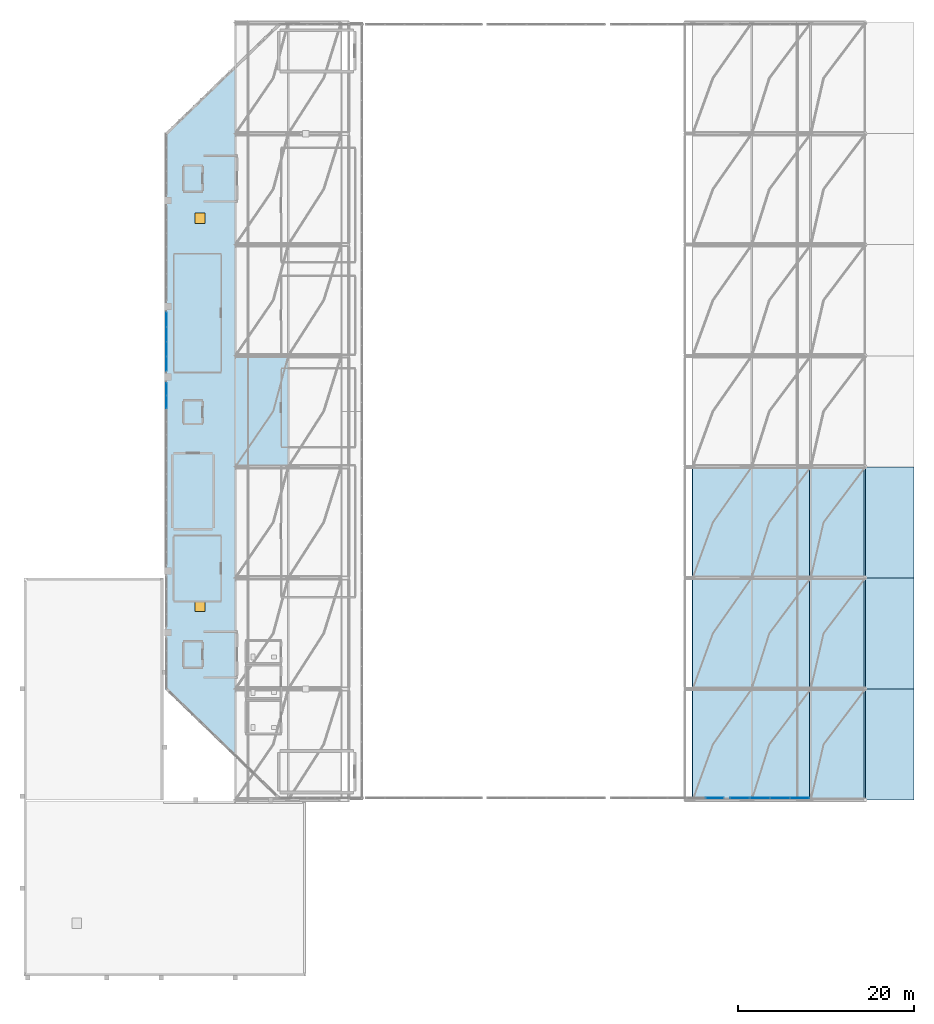
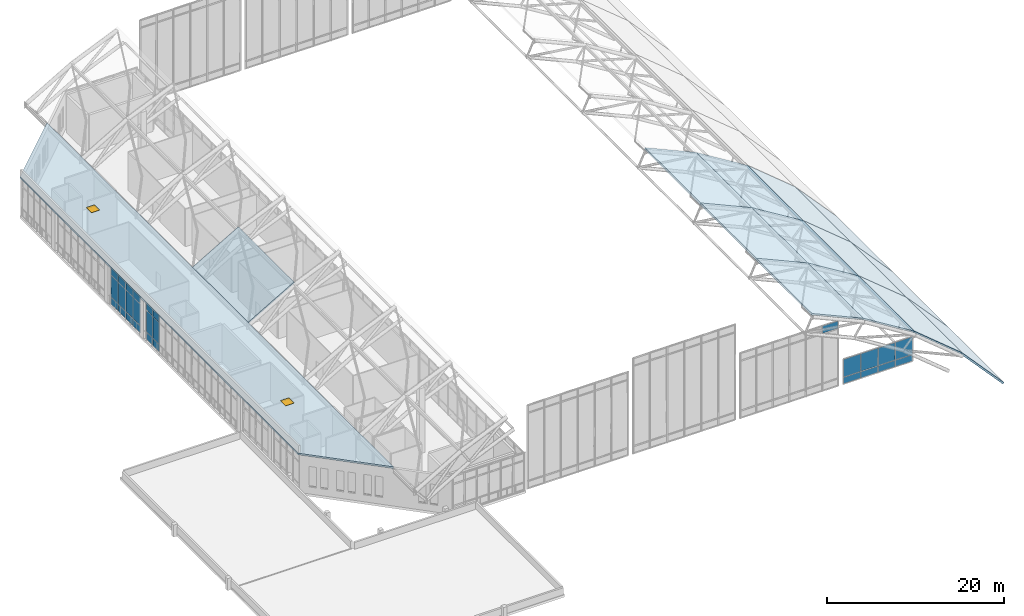
# One storey, part 27 of 42: 27 plates, 14 slabs, 2 doors, 2 openings, 4 elements without a shape of their own.
"""IFC4 building model written with IfcOpenShell, lengths in metres."""

import ifcopenshell
import ifcopenshell.guid

model = None  # the IFC model being written
_history = None  # IfcOwnerHistory: only IFC2X3 demands one
_inside = {}  # id of a spatial element -> (the spatial element, [elements in it])
_under = {}  # id of a project, library or spatial element -> (it, [spatial elements below it])
_declared = {}  # id of a project -> (the project, [libraries it declares])
_typed = {}  # id of a type object -> (the type object, [elements of that type])
_made_of = {}  # id of a material, layer set ... -> (it, [elements and type objects made of it])


def new_model(schema):
    """Start an empty IFC model of exactly this schema.

    Asked for "IFC4X3", IfcOpenShell would pick the latest addendum, in which some entities
    have other attributes; the version numbers below select the first issue.
    IFC2X3 requires an IfcOwnerHistory on every rooted entity: one is made here for all.
    """
    global model, _history
    if schema == "IFC4X3":
        model = ifcopenshell.file(schema_version=(4, 3, 0, 0))
    else:
        model = ifcopenshell.file(schema=schema)
    _inside.clear()
    _under.clear()
    _declared.clear()
    _typed.clear()
    _made_of.clear()
    _history = None
    if model.schema == "IFC2X3":
        org = make("IfcOrganization", Name="unknown")
        user = make(
            "IfcPersonAndOrganization",
            ThePerson=make("IfcPerson", FamilyName="unknown"),
            TheOrganization=org,
        )
        app = make(
            "IfcApplication",
            ApplicationDeveloper=org,
            Version="unknown",
            ApplicationFullName="unknown",
            ApplicationIdentifier="unknown",
        )
        _history = make(
            "IfcOwnerHistory",
            OwningUser=user,
            OwningApplication=app,
            ChangeAction="ADDED",
            CreationDate=0,
        )
    return model


def make(cls, **values):
    """One entity of the class cls with the attributes given. An attribute that is None is left unset."""
    return model.create_entity(
        cls, **{name: value for name, value in values.items() if value is not None}
    )


def rooted(cls, **values):
    """An entity with a GlobalId (a new one), such as an element, a storey or a relation."""
    return make(cls, GlobalId=ifcopenshell.guid.new(), OwnerHistory=_history, **values)


def si_unit(unit_type, name, prefix=None):
    """IfcSIUnit, for example si_unit("LENGTHUNIT", "METRE", prefix="MILLI")."""
    return make("IfcSIUnit", UnitType=unit_type, Prefix=prefix, Name=name)


def derived_unit(unit_type, elements):
    """IfcDerivedUnit: a product of units, each with its exponent."""
    return make(
        "IfcDerivedUnit",
        Elements=[
            make("IfcDerivedUnitElement", Unit=unit, Exponent=power)
            for unit, power in elements
        ],
        UnitType=unit_type,
    )


def assignment(units):
    """IfcUnitAssignment: the units of a project."""
    return None if units is None else make("IfcUnitAssignment", Units=units)


def point(xyz):
    """IfcCartesianPoint."""
    return None if xyz is None else make("IfcCartesianPoint", Coordinates=xyz)


def direction(xyz):
    """IfcDirection."""
    return None if xyz is None else make("IfcDirection", DirectionRatios=xyz)


def frame(location, z_axis=None, x_axis=None):
    """IfcAxis2Placement3D, a coordinate frame: its origin and axes. An axis left out is left unset."""
    return make(
        "IfcAxis2Placement3D",
        Location=point(location),
        Axis=direction(z_axis),
        RefDirection=direction(x_axis),
    )


def frame_2d(location, x_axis=None):
    """IfcAxis2Placement2D, a coordinate frame in the plane: its origin and x axis."""
    return make(
        "IfcAxis2Placement2D", Location=point(location), RefDirection=direction(x_axis)
    )


def origin():
    """The frame at (0, 0, 0) with its axes left unset."""
    return frame((0.0, 0.0, 0.0))


def origin_2d():
    """The frame at (0, 0) in the plane with its x axis left unset."""
    return frame_2d((0.0, 0.0))


def place(relative_to, where):
    """IfcLocalPlacement: puts the frame where relative to a parent placement (None: the world)."""
    return make(
        "IfcLocalPlacement", PlacementRelTo=relative_to, RelativePlacement=where
    )


def context(
    kind, dimensions, precision=None, world=None, true_north=None, identifier=None
):
    """IfcGeometricRepresentationContext, for example the 3D "Model" context."""
    return make(
        "IfcGeometricRepresentationContext",
        ContextIdentifier=identifier,
        ContextType=kind,
        CoordinateSpaceDimension=dimensions,
        Precision=precision,
        WorldCoordinateSystem=world,
        TrueNorth=true_north,
    )


def subcontext(parent, identifier, kind, view, scale=None):
    """IfcGeometricRepresentationSubContext, for example "Body" below "Model"."""
    return make(
        "IfcGeometricRepresentationSubContext",
        ContextIdentifier=identifier,
        ContextType=kind,
        ParentContext=parent,
        TargetScale=scale,
        TargetView=view,
    )


def project(units=None, contexts=None):
    """IfcProject with its units and contexts."""
    return rooted(
        "IfcProject",
        Name="project",
        RepresentationContexts=contexts,
        UnitsInContext=assignment(units),
    )


def spatial(cls, under=None, at=None, **own):
    """A site, building, storey or space (cls), placed at a placement, below another one or the project."""
    s = rooted(cls, ObjectPlacement=at, **own)
    if under is not None:
        _under.setdefault(under.id(), (under, []))[1].append(s)
    return s


def polyline(points):
    """IfcPolyline through the points."""
    return make("IfcPolyline", Points=[point(p) for p in points])


def profile(cls, at=None, kind="AREA", **sizes):
    """A parametric profile (cls). Its sizes go by their IFC names, for example OverallWidth=200.0."""
    return make(cls, ProfileType=kind, Position=at, **sizes)


def rectangle(**sizes):
    """IfcRectangleProfileDef."""
    return profile("IfcRectangleProfileDef", **sizes)


def outline(outer, holes=None, kind="AREA"):
    """IfcArbitraryClosedProfileDef: a profile drawn as a closed curve; with holes, ...WithVoids."""
    if holes is None:
        return make("IfcArbitraryClosedProfileDef", ProfileType=kind, OuterCurve=outer)
    return make(
        "IfcArbitraryProfileDefWithVoids",
        ProfileType=kind,
        OuterCurve=outer,
        InnerCurves=holes,
    )


def extrude(swept, where, along, depth):
    """IfcExtrudedAreaSolid: the profile swept, set in the frame where, extruded along a direction by depth."""
    return make(
        "IfcExtrudedAreaSolid",
        SweptArea=swept,
        Position=where,
        ExtrudedDirection=direction(along),
        Depth=depth,
    )


def shape(context_of_items, identifier, shape_type, items):
    """IfcShapeRepresentation: the items that make up one representation, for example the "Body"."""
    return make(
        "IfcShapeRepresentation",
        ContextOfItems=context_of_items,
        RepresentationIdentifier=identifier,
        RepresentationType=shape_type,
        Items=items,
    )


def material(Name=None, Category=None):
    """IfcMaterial."""
    return make("IfcMaterial", Name=Name, Category=Category)


def layer(
    of_material, thickness, ventilated=None, Name=None, Category=None, Priority=None
):
    """IfcMaterialLayer: one layer of a wall or slab, of a material (None: an air gap)."""
    return make(
        "IfcMaterialLayer",
        Material=of_material,
        LayerThickness=thickness,
        IsVentilated=ventilated,
        Name=Name,
        Category=Category,
        Priority=Priority,
    )


def layer_set(layers, Name=None):
    """IfcMaterialLayerSet."""
    return make("IfcMaterialLayerSet", MaterialLayers=layers, LayerSetName=Name)


def made_of(thing, what):
    """Note that an element or type object is made of a material, layer set ...; save() writes the relation."""
    if what is not None:
        _made_of.setdefault(what.id(), (what, []))[1].append(thing)
    return thing


def type_object(cls, material=None, **own):
    """A type object (cls), such as IfcWallType, which elements share."""
    return made_of(rooted(cls, **own), material)


def element(
    cls,
    number,
    at=None,
    inside=None,
    cuts=None,
    type_object=None,
    material=None,
    context=None,
    identifier="Body",
    shape_type=None,
    held_by="IfcProductDefinitionShape",
    body=None,
    shapes=None,
    **own,
):
    """One element of the class cls, such as IfcWall. Its Tag is "e" and its number.

    at: its placement. inside: the storey or other place that contains it. cuts: it is an
    opening in that element (IfcRelVoidsElement). A single representation is given by context,
    identifier, shape_type and body (its items); several are given by shapes. held_by: the class
    of the entity that holds the representations. save() writes the other relations.
    """
    e = rooted(cls, Tag="e%d" % number, ObjectPlacement=at, **own)
    if body is not None:
        shapes = [shape(context, identifier, shape_type, body)]
    if shapes is not None:
        e.Representation = make(held_by, Representations=shapes)
    if inside is not None:
        _inside.setdefault(inside.id(), (inside, []))[1].append(e)
    if cuts is not None:
        rooted(
            "IfcRelVoidsElement", RelatingBuildingElement=cuts, RelatedOpeningElement=e
        )
    if type_object is not None:
        _typed.setdefault(type_object.id(), (type_object, []))[1].append(e)
    return made_of(e, material)


def fill(opening, filler):
    """IfcRelFillsElement: the door or window that sits in an opening."""
    return rooted(
        "IfcRelFillsElement",
        RelatingOpeningElement=opening,
        RelatedBuildingElement=filler,
    )


def aggregate(whole, parts):
    """IfcRelAggregates: a whole, such as a stair, and the parts it consists of."""
    return rooted("IfcRelAggregates", RelatingObject=whole, RelatedObjects=parts)


def save(model, path):
    """Write the relations noted so far, then the file.

    IfcRelAggregates (storeys below a building ...), IfcRelContainedInSpatialStructure (elements
    in a storey), IfcRelDefinesByType, IfcRelAssociatesMaterial and IfcRelDeclares: one each for
    every whole, place, type object, material and project.
    """
    for whole, parts in _under.values():
        aggregate(whole, parts)
    for where, things in _inside.values():
        rooted(
            "IfcRelContainedInSpatialStructure",
            RelatedElements=things,
            RelatingStructure=where,
        )
    for kind, things in _typed.values():
        rooted("IfcRelDefinesByType", RelatedObjects=things, RelatingType=kind)
    for what, things in _made_of.values():
        rooted("IfcRelAssociatesMaterial", RelatedObjects=things, RelatingMaterial=what)
    for by, libraries in _declared.values():
        rooted("IfcRelDeclares", RelatingContext=by, RelatedDefinitions=libraries)
    model.write(path)


model = new_model("IFC4")

# Units and contexts
model_context = context("Model", 3, precision=1e-05, world=origin(), true_north=direction((0.0, 1.0)))
body_context = subcontext(model_context, "Body", "Model", "MODEL_VIEW")
ifc_project = project(units=[si_unit("LENGTHUNIT", "METRE"), si_unit("AREAUNIT", "SQUARE_METRE"), si_unit("VOLUMEUNIT", "CUBIC_METRE"), si_unit("PLANEANGLEUNIT", "RADIAN"), si_unit("MASSUNIT", "GRAM", prefix="KILO"), derived_unit("THERMALTRANSMITTANCEUNIT", [(si_unit("MASSUNIT", "GRAM", prefix="KILO"), 1), (si_unit("TIMEUNIT", "SECOND"), -3), (si_unit("THERMODYNAMICTEMPERATUREUNIT", "KELVIN"), -1)])], contexts=[model_context])

# Site, building, storey
site_placement = place(None, origin())
site = spatial("IfcSite", under=ifc_project, at=site_placement, CompositionType="ELEMENT")
building_placement = place(site_placement, origin())
building = spatial("IfcBuilding", under=site, at=building_placement, Name="Valcora Ridge Arena", CompositionType="ELEMENT")
storey_placement = place(building_placement, frame((0.0, 0.0, 26.39990234375)))
storey = spatial("IfcBuildingStorey", under=building, at=storey_placement, Name="L05", CompositionType="ELEMENT", Elevation=26.39990234375)

# Curtain wall, plates
ifc_material_1 = material(Name="Anodised dark bronze architectural aluminium 6063-T6", Category="aluminium")
ifc_layer_1 = layer(ifc_material_1, 0.14990234375, Name="Anodised dark bronze architectural aluminium 6063-T6")
ifc_layer_set_1 = layer_set([ifc_layer_1], Name="Anodised dark bronze architectural aluminium 6063-T6")
curtain_wall_type_1 = type_object("IfcCurtainWallType", Name="TY-CURTAINWALL-CW-V1-SKY-207X52", PredefinedType="NOTDEFINED", material=ifc_layer_set_1)
curtain_wall_1_placement = place(storey_placement, origin())
curtain_wall_1 = element("IfcCurtainWall", 1, at=curtain_wall_1_placement, inside=storey, type_object=curtain_wall_type_1, Name="CW-V1-SKY-207X52 CW-0165", PredefinedType="NOTDEFINED")
ifc_material_2 = material(Name="Low-iron solar-control double glazing SHGC 0.28", Category="glass")
ifc_layer_2 = layer(ifc_material_2, 0.028076171875, Name="Low-iron solar-control double glazing SHGC 0.28")
ifc_layer_set_2 = layer_set([ifc_layer_2], Name="Low-iron solar-control double glazing SHGC 0.28")
plate_type_1 = type_object("IfcPlateType", Name="TY-PLT-CWP-1405X0975", PredefinedType="CURTAIN_PANEL", material=ifc_layer_set_2)
plate_1_placement = place(storey_placement, frame((16.199951171875, 66.607421875, 0.050048828125), z_axis=(0.0, 0.0, 1.0), x_axis=(0.0, 1.0, 0.0)))
plate_1 = element("IfcPlate", 2, at=plate_1_placement, type_object=plate_type_1, Name="CW-0165/P13-00", PredefinedType="CURTAIN_PANEL", context=body_context, shape_type="SweptSolid", body=[
    extrude(rectangle(XDim=1.405029296875, YDim=0.028076171875, at=origin_2d()), origin(), (0.0, 0.0, 1.0), 0.97509765625),
])
ifc_layer_3 = layer(ifc_material_2, 0.028076171875, Name="Low-iron solar-control double glazing SHGC 0.28")
ifc_layer_set_3 = layer_set([ifc_layer_3], Name="Low-iron solar-control double glazing SHGC 0.28")
plate_type_2 = type_object("IfcPlateType", Name="TY-PLT-CWP-1405X1025", PredefinedType="CURTAIN_PANEL", material=ifc_layer_set_3)
plate_2_placement = place(storey_placement, frame((16.199951171875, 66.607421875, 4.105224609375), z_axis=(0.0, 0.0, 1.0), x_axis=(0.0, 1.0, 0.0)))
plate_2 = element("IfcPlate", 3, at=plate_2_placement, type_object=plate_type_2, Name="CW-0165/P13-02", PredefinedType="CURTAIN_PANEL", context=body_context, shape_type="SweptSolid", body=[
    extrude(rectangle(XDim=1.405029296875, YDim=0.028076171875, at=origin_2d()), origin(), (0.0, 0.0, 1.0), 1.02490234375),
])
ifc_layer_4 = layer(ifc_material_2, 0.028076171875, Name="Low-iron solar-control double glazing SHGC 0.28")
ifc_layer_set_4 = layer_set([ifc_layer_4], Name="Low-iron solar-control double glazing SHGC 0.28")
plate_type_3 = type_object("IfcPlateType", Name="TY-PLT-CWP-1405X2980", PredefinedType="CURTAIN_PANEL", material=ifc_layer_set_4)
plate_3_placement = place(storey_placement, frame((16.199951171875, 66.607421875, 1.0751953125), z_axis=(0.0, 0.0, 1.0), x_axis=(0.0, 1.0, 0.0)))
plate_3 = element("IfcPlate", 4, at=plate_3_placement, type_object=plate_type_3, Name="CW-0165/P13-01", PredefinedType="CURTAIN_PANEL", context=body_context, shape_type="SweptSolid", body=[
    extrude(rectangle(XDim=1.405029296875, YDim=0.028076171875, at=origin_2d()), origin(), (0.0, 0.0, 1.0), 2.97998046875),
])
ifc_layer_5 = layer(ifc_material_2, 0.028076171875, Name="Low-iron solar-control double glazing SHGC 0.28")
ifc_layer_set_5 = layer_set([ifc_layer_5], Name="Low-iron solar-control double glazing SHGC 0.28")
plate_type_4 = type_object("IfcPlateType", Name="TY-PLT-CWP-1430X0975", PredefinedType="CURTAIN_PANEL", material=ifc_layer_set_5)
plate_4_placement = place(storey_placement, frame((16.199951171875, 65.139892578125, 0.050048828125), z_axis=(0.0, 0.0, 1.0), x_axis=(0.0, 1.0, 0.0)))
plate_4 = element("IfcPlate", 5, at=plate_4_placement, type_object=plate_type_4, Name="CW-0165/P12-00", PredefinedType="CURTAIN_PANEL", context=body_context, shape_type="SweptSolid", body=[
    extrude(rectangle(XDim=1.429931640625, YDim=0.028076171875, at=origin_2d()), origin(), (0.0, 0.0, 1.0), 0.97509765625),
])
ifc_layer_6 = layer(ifc_material_2, 0.028076171875, Name="Low-iron solar-control double glazing SHGC 0.28")
ifc_layer_set_6 = layer_set([ifc_layer_6], Name="Low-iron solar-control double glazing SHGC 0.28")
plate_type_5 = type_object("IfcPlateType", Name="TY-PLT-CWP-1430X1025", PredefinedType="CURTAIN_PANEL", material=ifc_layer_set_6)
plate_5_placement = place(storey_placement, frame((16.199951171875, 65.139892578125, 4.105224609375), z_axis=(0.0, 0.0, 1.0), x_axis=(0.0, 1.0, 0.0)))
plate_5 = element("IfcPlate", 6, at=plate_5_placement, type_object=plate_type_5, Name="CW-0165/P12-02", PredefinedType="CURTAIN_PANEL", context=body_context, shape_type="SweptSolid", body=[
    extrude(rectangle(XDim=1.429931640625, YDim=0.028076171875, at=origin_2d()), origin(), (0.0, 0.0, 1.0), 1.02490234375),
])
ifc_layer_7 = layer(ifc_material_2, 0.028076171875, Name="Low-iron solar-control double glazing SHGC 0.28")
ifc_layer_set_7 = layer_set([ifc_layer_7], Name="Low-iron solar-control double glazing SHGC 0.28")
plate_type_6 = type_object("IfcPlateType", Name="TY-PLT-CWP-1430X2980", PredefinedType="CURTAIN_PANEL", material=ifc_layer_set_7)
plate_6_placement = place(storey_placement, frame((16.199951171875, 65.139892578125, 1.0751953125), z_axis=(0.0, 0.0, 1.0), x_axis=(0.0, 1.0, 0.0)))
plate_6 = element("IfcPlate", 7, at=plate_6_placement, type_object=plate_type_6, Name="CW-0165/P12-01", PredefinedType="CURTAIN_PANEL", context=body_context, shape_type="SweptSolid", body=[
    extrude(rectangle(XDim=1.429931640625, YDim=0.028076171875, at=origin_2d()), origin(), (0.0, 0.0, 1.0), 2.97998046875),
])
aggregate(curtain_wall_1, [plate_4, plate_6, plate_5, plate_1, plate_3, plate_2])

ifc_layer_8 = layer(ifc_material_1, 0.14990234375, Name="Anodised dark bronze architectural aluminium 6063-T6")
ifc_layer_set_8 = layer_set([ifc_layer_8], Name="Anodised dark bronze architectural aluminium 6063-T6")
curtain_wall_type_2 = type_object("IfcCurtainWallType", Name="TY-CURTAINWALL-CW-V1-SKY-067X52", PredefinedType="NOTDEFINED", material=ifc_layer_set_8)
curtain_wall_2_placement = place(storey_placement, origin())
curtain_wall_2 = element("IfcCurtainWall", 8, at=curtain_wall_2_placement, inside=storey, type_object=curtain_wall_type_2, Name="CW-V1-SKY-067X52 CW-0166", PredefinedType="NOTDEFINED")
ifc_layer_9 = layer(ifc_material_2, 0.028076171875, Name="Low-iron solar-control double glazing SHGC 0.28")
ifc_layer_set_9 = layer_set([ifc_layer_9], Name="Low-iron solar-control double glazing SHGC 0.28")
plate_type_7 = type_object("IfcPlateType", Name="TY-PLT-CWP-1605X0975", PredefinedType="CURTAIN_PANEL", material=ifc_layer_set_9)
plate_7_placement = place(storey_placement, frame((16.199951171875, 69.492431640625, 0.050048828125), z_axis=(0.0, 0.0, 1.0), x_axis=(0.0, 1.0, 0.0)))
plate_7 = element("IfcPlate", 9, at=plate_7_placement, type_object=plate_type_7, Name="CW-0166/P00-00", PredefinedType="CURTAIN_PANEL", context=body_context, shape_type="SweptSolid", body=[
    extrude(rectangle(XDim=1.60498046875, YDim=0.028076171875, at=origin_2d()), origin(), (0.0, 0.0, 1.0), 0.97509765625),
])
plate_8_placement = place(storey_placement, frame((16.199951171875, 74.507568359375, 0.050048828125), z_axis=(0.0, 0.0, 1.0), x_axis=(0.0, 1.0, 0.0)))
plate_8 = element("IfcPlate", 10, at=plate_8_placement, type_object=plate_type_7, Name="CW-0166/P03-00", PredefinedType="CURTAIN_PANEL", context=body_context, shape_type="SweptSolid", body=[
    extrude(rectangle(XDim=1.60498046875, YDim=0.028076171875, at=origin_2d()), origin(), (0.0, 0.0, 1.0), 0.97509765625),
])
ifc_layer_10 = layer(ifc_material_2, 0.028076171875, Name="Low-iron solar-control double glazing SHGC 0.28")
ifc_layer_set_10 = layer_set([ifc_layer_10], Name="Low-iron solar-control double glazing SHGC 0.28")
plate_type_8 = type_object("IfcPlateType", Name="TY-PLT-CWP-1605X1025", PredefinedType="CURTAIN_PANEL", material=ifc_layer_set_10)
plate_9_placement = place(storey_placement, frame((16.199951171875, 69.492431640625, 4.105224609375), z_axis=(0.0, 0.0, 1.0), x_axis=(0.0, 1.0, 0.0)))
plate_9 = element("IfcPlate", 11, at=plate_9_placement, type_object=plate_type_8, Name="CW-0166/P00-02", PredefinedType="CURTAIN_PANEL", context=body_context, shape_type="SweptSolid", body=[
    extrude(rectangle(XDim=1.60498046875, YDim=0.028076171875, at=origin_2d()), origin(), (0.0, 0.0, 1.0), 1.02490234375),
])
plate_10_placement = place(storey_placement, frame((16.199951171875, 74.507568359375, 4.105224609375), z_axis=(0.0, 0.0, 1.0), x_axis=(0.0, 1.0, 0.0)))
plate_10 = element("IfcPlate", 12, at=plate_10_placement, type_object=plate_type_8, Name="CW-0166/P03-02", PredefinedType="CURTAIN_PANEL", context=body_context, shape_type="SweptSolid", body=[
    extrude(rectangle(XDim=1.60498046875, YDim=0.028076171875, at=origin_2d()), origin(), (0.0, 0.0, 1.0), 1.02490234375),
])
ifc_layer_11 = layer(ifc_material_2, 0.028076171875, Name="Low-iron solar-control double glazing SHGC 0.28")
ifc_layer_set_11 = layer_set([ifc_layer_11], Name="Low-iron solar-control double glazing SHGC 0.28")
plate_type_9 = type_object("IfcPlateType", Name="TY-PLT-CWP-1605X2980", PredefinedType="CURTAIN_PANEL", material=ifc_layer_set_11)
plate_11_placement = place(storey_placement, frame((16.199951171875, 69.492431640625, 1.0751953125), z_axis=(0.0, 0.0, 1.0), x_axis=(0.0, 1.0, 0.0)))
plate_11 = element("IfcPlate", 13, at=plate_11_placement, type_object=plate_type_9, Name="CW-0166/P00-01", PredefinedType="CURTAIN_PANEL", context=body_context, shape_type="SweptSolid", body=[
    extrude(rectangle(XDim=1.60498046875, YDim=0.028076171875, at=origin_2d()), origin(), (0.0, 0.0, 1.0), 2.97998046875),
])
plate_12_placement = place(storey_placement, frame((16.199951171875, 74.507568359375, 1.0751953125), z_axis=(0.0, 0.0, 1.0), x_axis=(0.0, 1.0, 0.0)))
plate_12 = element("IfcPlate", 14, at=plate_12_placement, type_object=plate_type_9, Name="CW-0166/P03-01", PredefinedType="CURTAIN_PANEL", context=body_context, shape_type="SweptSolid", body=[
    extrude(rectangle(XDim=1.60498046875, YDim=0.028076171875, at=origin_2d()), origin(), (0.0, 0.0, 1.0), 2.97998046875),
])
ifc_layer_12 = layer(ifc_material_2, 0.028076171875, Name="Low-iron solar-control double glazing SHGC 0.28")
ifc_layer_set_12 = layer_set([ifc_layer_12], Name="Low-iron solar-control double glazing SHGC 0.28")
plate_type_10 = type_object("IfcPlateType", Name="TY-PLT-CWP-1630X0975", PredefinedType="CURTAIN_PANEL", material=ifc_layer_set_12)
plate_13_placement = place(storey_placement, frame((16.199951171875, 71.159912109375, 0.050048828125), z_axis=(0.0, 0.0, 1.0), x_axis=(0.0, 1.0, 0.0)))
plate_13 = element("IfcPlate", 15, at=plate_13_placement, type_object=plate_type_10, Name="CW-0166/P01-00", PredefinedType="CURTAIN_PANEL", context=body_context, shape_type="SweptSolid", body=[
    extrude(rectangle(XDim=1.6298828125, YDim=0.028076171875, at=origin_2d()), origin(), (0.0, 0.0, 1.0), 0.97509765625),
])
plate_14_placement = place(storey_placement, frame((16.199951171875, 72.840087890625, 0.050048828125), z_axis=(0.0, 0.0, 1.0), x_axis=(0.0, 1.0, 0.0)))
plate_14 = element("IfcPlate", 16, at=plate_14_placement, type_object=plate_type_10, Name="CW-0166/P02-00", PredefinedType="CURTAIN_PANEL", context=body_context, shape_type="SweptSolid", body=[
    extrude(rectangle(XDim=1.6298828125, YDim=0.028076171875, at=origin_2d()), origin(), (0.0, 0.0, 1.0), 0.97509765625),
])
ifc_layer_13 = layer(ifc_material_2, 0.028076171875, Name="Low-iron solar-control double glazing SHGC 0.28")
ifc_layer_set_13 = layer_set([ifc_layer_13], Name="Low-iron solar-control double glazing SHGC 0.28")
plate_type_11 = type_object("IfcPlateType", Name="TY-PLT-CWP-1630X1025", PredefinedType="CURTAIN_PANEL", material=ifc_layer_set_13)
plate_15_placement = place(storey_placement, frame((16.199951171875, 71.159912109375, 4.105224609375), z_axis=(0.0, 0.0, 1.0), x_axis=(0.0, 1.0, 0.0)))
plate_15 = element("IfcPlate", 17, at=plate_15_placement, type_object=plate_type_11, Name="CW-0166/P01-02", PredefinedType="CURTAIN_PANEL", context=body_context, shape_type="SweptSolid", body=[
    extrude(rectangle(XDim=1.6298828125, YDim=0.028076171875, at=origin_2d()), origin(), (0.0, 0.0, 1.0), 1.02490234375),
])
plate_16_placement = place(storey_placement, frame((16.199951171875, 72.840087890625, 4.105224609375), z_axis=(0.0, 0.0, 1.0), x_axis=(0.0, 1.0, 0.0)))
plate_16 = element("IfcPlate", 18, at=plate_16_placement, type_object=plate_type_11, Name="CW-0166/P02-02", PredefinedType="CURTAIN_PANEL", context=body_context, shape_type="SweptSolid", body=[
    extrude(rectangle(XDim=1.6298828125, YDim=0.028076171875, at=origin_2d()), origin(), (0.0, 0.0, 1.0), 1.02490234375),
])
ifc_layer_14 = layer(ifc_material_2, 0.028076171875, Name="Low-iron solar-control double glazing SHGC 0.28")
ifc_layer_set_14 = layer_set([ifc_layer_14], Name="Low-iron solar-control double glazing SHGC 0.28")
plate_type_12 = type_object("IfcPlateType", Name="TY-PLT-CWP-1630X2980", PredefinedType="CURTAIN_PANEL", material=ifc_layer_set_14)
plate_17_placement = place(storey_placement, frame((16.199951171875, 71.159912109375, 1.0751953125), z_axis=(0.0, 0.0, 1.0), x_axis=(0.0, 1.0, 0.0)))
plate_17 = element("IfcPlate", 19, at=plate_17_placement, type_object=plate_type_12, Name="CW-0166/P01-01", PredefinedType="CURTAIN_PANEL", context=body_context, shape_type="SweptSolid", body=[
    extrude(rectangle(XDim=1.6298828125, YDim=0.028076171875, at=origin_2d()), origin(), (0.0, 0.0, 1.0), 2.97998046875),
])
plate_18_placement = place(storey_placement, frame((16.199951171875, 72.840087890625, 1.0751953125), z_axis=(0.0, 0.0, 1.0), x_axis=(0.0, 1.0, 0.0)))
plate_18 = element("IfcPlate", 20, at=plate_18_placement, type_object=plate_type_12, Name="CW-0166/P02-01", PredefinedType="CURTAIN_PANEL", context=body_context, shape_type="SweptSolid", body=[
    extrude(rectangle(XDim=1.6298828125, YDim=0.028076171875, at=origin_2d()), origin(), (0.0, 0.0, 1.0), 2.97998046875),
])
aggregate(curtain_wall_2, [plate_7, plate_11, plate_9, plate_13, plate_17, plate_15, plate_14, plate_18, plate_16, plate_8, plate_12, plate_10])

# Curtain wall, plate
ifc_layer_15 = layer(ifc_material_1, 0.179931640625, Name="Anodised dark bronze architectural aluminium 6063-T6")
ifc_layer_set_15 = layer_set([ifc_layer_15], Name="Anodised dark bronze architectural aluminium 6063-T6")
curtain_wall_type_3 = type_object("IfcCurtainWallType", Name="TY-CURTAINWALL-CW-V1-TYMPS-129X90", PredefinedType="NOTDEFINED", material=ifc_layer_set_15)
curtain_wall_3_placement = place(storey_placement, origin())
curtain_wall_3 = element("IfcCurtainWall", 21, at=curtain_wall_3_placement, inside=storey, type_object=curtain_wall_type_3, Name="CW-V1-TYMPS-129X90 CW-0176", PredefinedType="NOTDEFINED")
ifc_layer_16 = layer(ifc_material_2, 0.031982421875, Name="Low-iron solar-control double glazing SHGC 0.28")
ifc_layer_set_16 = layer_set([ifc_layer_16], Name="Low-iron solar-control double glazing SHGC 0.28")
plate_type_13 = type_object("IfcPlateType", Name="TY-PLT-CWP-2060X1010", PredefinedType="CURTAIN_PANEL", material=ifc_layer_set_16)
plate_19_placement = place(storey_placement, frame((78.409912109375, 20.219970703125, 7.97314453125), z_axis=(0.0, 0.0, 1.0), x_axis=(1.0, 0.0, 0.0)))
plate_19 = element("IfcPlate", 22, at=plate_19_placement, type_object=plate_type_13, Name="CW-0176/P05-02", PredefinedType="CURTAIN_PANEL", context=body_context, shape_type="SweptSolid", body=[
    extrude(rectangle(XDim=2.06005859375, YDim=0.031982421875, at=origin_2d()), origin(), (0.0, 0.0, 1.0), 1.010009765625),
])
aggregate(curtain_wall_3, [plate_19])

# Curtain wall, plates
ifc_layer_17 = layer(ifc_material_1, 0.179931640625, Name="Anodised dark bronze architectural aluminium 6063-T6")
ifc_layer_set_17 = layer_set([ifc_layer_17], Name="Anodised dark bronze architectural aluminium 6063-T6")
curtain_wall_type_4 = type_object("IfcCurtainWallType", Name="TY-CURTAINWALL-CW-V1-TYMPS-091X35", PredefinedType="NOTDEFINED", material=ifc_layer_set_17)
curtain_wall_4_placement = place(storey_placement, origin())
curtain_wall_4 = element("IfcCurtainWall", 23, at=curtain_wall_4_placement, inside=storey, type_object=curtain_wall_type_4, Name="CW-V1-TYMPS-091X35 CW-0178", PredefinedType="NOTDEFINED")
ifc_layer_18 = layer(ifc_material_2, 0.031982421875, Name="Low-iron solar-control double glazing SHGC 0.28")
ifc_layer_set_18 = layer_set([ifc_layer_18], Name="Low-iron solar-control double glazing SHGC 0.28")
plate_type_14 = type_object("IfcPlateType", Name="TY-PLT-CWP-2185X0860", PredefinedType="CURTAIN_PANEL", material=ifc_layer_set_18)
plate_20_placement = place(storey_placement, frame((81.25244140625, 20.219970703125, 0.06005859375), z_axis=(0.0, 0.0, 1.0), x_axis=(1.0, 0.0, 0.0)))
plate_20 = element("IfcPlate", 24, at=plate_20_placement, type_object=plate_type_14, Name="CW-0178/P00-00", PredefinedType="CURTAIN_PANEL", context=body_context, shape_type="SweptSolid", body=[
    extrude(rectangle(XDim=2.18505859375, YDim=0.031982421875, at=origin_2d()), origin(), (0.0, 0.0, 1.0), 0.860107421875),
])
plate_21_placement = place(storey_placement, frame((88.047607421875, 20.219970703125, 0.06005859375), z_axis=(0.0, 0.0, 1.0), x_axis=(1.0, 0.0, 0.0)))
plate_21 = element("IfcPlate", 25, at=plate_21_placement, type_object=plate_type_14, Name="CW-0178/P03-00", PredefinedType="CURTAIN_PANEL", context=body_context, shape_type="SweptSolid", body=[
    extrude(rectangle(XDim=2.18505859375, YDim=0.031982421875, at=origin_2d()), origin(), (0.0, 0.0, 1.0), 0.860107421875),
])
ifc_layer_19 = layer(ifc_material_2, 0.031982421875, Name="Low-iron solar-control double glazing SHGC 0.28")
ifc_layer_set_19 = layer_set([ifc_layer_19], Name="Low-iron solar-control double glazing SHGC 0.28")
plate_type_15 = type_object("IfcPlateType", Name="TY-PLT-CWP-2185X2421", PredefinedType="CURTAIN_PANEL", material=ifc_layer_set_19)
plate_22_placement = place(storey_placement, frame((81.25244140625, 20.219970703125, 0.980224609375), z_axis=(0.0, 0.0, 1.0), x_axis=(1.0, 0.0, 0.0)))
plate_22 = element("IfcPlate", 26, at=plate_22_placement, type_object=plate_type_15, Name="CW-0178/P00-01", PredefinedType="CURTAIN_PANEL", context=body_context, shape_type="SweptSolid", body=[
    extrude(rectangle(XDim=2.18505859375, YDim=0.031982421875, at=origin_2d()), origin(), (0.0, 0.0, 1.0), 2.4208984375),
])
plate_23_placement = place(storey_placement, frame((88.047607421875, 20.219970703125, 0.980224609375), z_axis=(0.0, 0.0, 1.0), x_axis=(1.0, 0.0, 0.0)))
plate_23 = element("IfcPlate", 27, at=plate_23_placement, type_object=plate_type_15, Name="CW-0178/P03-01", PredefinedType="CURTAIN_PANEL", context=body_context, shape_type="SweptSolid", body=[
    extrude(rectangle(XDim=2.18505859375, YDim=0.031982421875, at=origin_2d()), origin(), (0.0, 0.0, 1.0), 2.4208984375),
])
ifc_layer_20 = layer(ifc_material_2, 0.031982421875, Name="Low-iron solar-control double glazing SHGC 0.28")
ifc_layer_set_20 = layer_set([ifc_layer_20], Name="Low-iron solar-control double glazing SHGC 0.28")
plate_type_16 = type_object("IfcPlateType", Name="TY-PLT-CWP-2215X0860", PredefinedType="CURTAIN_PANEL", material=ifc_layer_set_20)
plate_24_placement = place(storey_placement, frame((83.512451171875, 20.219970703125, 0.06005859375), z_axis=(0.0, 0.0, 1.0), x_axis=(1.0, 0.0, 0.0)))
plate_24 = element("IfcPlate", 28, at=plate_24_placement, type_object=plate_type_16, Name="CW-0178/P01-00", PredefinedType="CURTAIN_PANEL", context=body_context, shape_type="SweptSolid", body=[
    extrude(rectangle(XDim=2.215087890625, YDim=0.031982421875, at=origin_2d()), origin(), (0.0, 0.0, 1.0), 0.860107421875),
])
plate_25_placement = place(storey_placement, frame((85.78759765625, 20.219970703125, 0.06005859375), z_axis=(0.0, 0.0, 1.0), x_axis=(1.0, 0.0, 0.0)))
plate_25 = element("IfcPlate", 29, at=plate_25_placement, type_object=plate_type_16, Name="CW-0178/P02-00", PredefinedType="CURTAIN_PANEL", context=body_context, shape_type="SweptSolid", body=[
    extrude(rectangle(XDim=2.215087890625, YDim=0.031982421875, at=origin_2d()), origin(), (0.0, 0.0, 1.0), 0.860107421875),
])
ifc_layer_21 = layer(ifc_material_2, 0.031982421875, Name="Low-iron solar-control double glazing SHGC 0.28")
ifc_layer_set_21 = layer_set([ifc_layer_21], Name="Low-iron solar-control double glazing SHGC 0.28")
plate_type_17 = type_object("IfcPlateType", Name="TY-PLT-CWP-2215X2421", PredefinedType="CURTAIN_PANEL", material=ifc_layer_set_21)
plate_26_placement = place(storey_placement, frame((83.512451171875, 20.219970703125, 0.980224609375), z_axis=(0.0, 0.0, 1.0), x_axis=(1.0, 0.0, 0.0)))
plate_26 = element("IfcPlate", 30, at=plate_26_placement, type_object=plate_type_17, Name="CW-0178/P01-01", PredefinedType="CURTAIN_PANEL", context=body_context, shape_type="SweptSolid", body=[
    extrude(rectangle(XDim=2.215087890625, YDim=0.031982421875, at=origin_2d()), origin(), (0.0, 0.0, 1.0), 2.4208984375),
])
plate_27_placement = place(storey_placement, frame((85.78759765625, 20.219970703125, 0.980224609375), z_axis=(0.0, 0.0, 1.0), x_axis=(1.0, 0.0, 0.0)))
plate_27 = element("IfcPlate", 31, at=plate_27_placement, type_object=plate_type_17, Name="CW-0178/P02-01", PredefinedType="CURTAIN_PANEL", context=body_context, shape_type="SweptSolid", body=[
    extrude(rectangle(XDim=2.215087890625, YDim=0.031982421875, at=origin_2d()), origin(), (0.0, 0.0, 1.0), 2.4208984375),
])
aggregate(curtain_wall_4, [plate_20, plate_22, plate_24, plate_26, plate_25, plate_27, plate_21, plate_23])

# Slabs
ifc_material_3 = material(Name="Concrete C40/50", Category="concrete")
ifc_layer_22 = layer(ifc_material_3, 0.219970703125, Name="Concrete C40/50")
ifc_layer_set_22 = layer_set([ifc_layer_22], Name="Concrete C40/50")
slab_type_1 = type_object("IfcSlabType", Name="TY-SLAB-RF-ARC-S01", PredefinedType="ROOF", material=ifc_layer_set_22)
slab_1_placement = place(storey_placement, frame((24.0, 57.800048828125, 5.400146484375), z_axis=(-0.501926643599, 0.0, 0.864910194439), x_axis=(0.864910194439, 0.0, 0.501926643599)))
element("IfcSlab", 32, at=slab_1_placement, inside=storey, type_object=slab_type_1, Name="RF-ARC-S01 SLB-RF-0037", PredefinedType="ROOF", context=body_context, shape_type="SweptSolid", body=[
    extrude(outline(polyline([(0.0, 0.0), (6.93713640858278, 0.0), (6.93713640858278, 12.599853515625), (0.0, 12.599853515625), (0.0, 0.0)])), origin(), (0.0, 0.0, -1.0), 0.219970703125),
])
ifc_layer_23 = layer(ifc_material_3, 0.219970703125, Name="Concrete C40/50")
ifc_layer_set_23 = layer_set([ifc_layer_23], Name="Concrete C40/50")
slab_type_2 = type_object("IfcSlabType", Name="TY-SLAB-RF-ARC-S09", PredefinedType="ROOF", material=ifc_layer_set_23)
slab_2_placement = place(storey_placement, frame((75.89990234375, 20.0, 11.3759765625), z_axis=(0.408488575858, 0.0, 0.912763432327), x_axis=(0.912763432327, 0.0, -0.408488575858)))
element("IfcSlab", 33, at=slab_2_placement, inside=storey, type_object=slab_type_2, Name="RF-ARC-S09 SLB-RF-0009", PredefinedType="ROOF", context=body_context, shape_type="SweptSolid", body=[
    extrude(outline(polyline([(0.0, 0.0), (7.340560626335988, 0.0), (7.340560626335988, 12.60009765625), (0.0, 12.60009765625), (0.0, 0.0)])), origin(), (0.0, 0.0, -1.0), 0.219970703125),
])
slab_3_placement = place(storey_placement, frame((75.89990234375, 32.60009765625, 11.3759765625), z_axis=(0.408488575858, 0.0, 0.912763432327), x_axis=(0.912763432327, 0.0, -0.408488575858)))
element("IfcSlab", 34, at=slab_3_placement, inside=storey, type_object=slab_type_2, Name="RF-ARC-S09 SLB-RF-0021", PredefinedType="ROOF", context=body_context, shape_type="SweptSolid", body=[
    extrude(outline(polyline([(0.0, 0.0), (7.340560626335988, 0.0), (7.340560626335988, 12.599853515625), (0.0, 12.599853515625), (0.0, 0.0)])), origin(), (0.0, 0.0, -1.0), 0.219970703125),
])
slab_4_placement = place(storey_placement, frame((75.89990234375, 45.199951171875, 11.3759765625), z_axis=(0.408488575858, 0.0, 0.912763432327), x_axis=(0.912763432327, 0.0, -0.408488575858)))
element("IfcSlab", 35, at=slab_4_placement, inside=storey, type_object=slab_type_2, Name="RF-ARC-S09 SLB-RF-0033", PredefinedType="ROOF", context=body_context, shape_type="SweptSolid", body=[
    extrude(outline(polyline([(0.0, 0.0), (7.340560626335988, 0.0), (7.340560626335988, 12.60009765625), (0.0, 12.60009765625), (0.0, 0.0)])), origin(), (0.0, 0.0, -1.0), 0.219970703125),
])
ifc_layer_24 = layer(ifc_material_3, 0.219970703125, Name="Concrete C40/50")
ifc_layer_set_24 = layer_set([ifc_layer_24], Name="Concrete C40/50")
slab_type_3 = type_object("IfcSlabType", Name="TY-SLAB-RF-ARC-S10", PredefinedType="ROOF", material=ifc_layer_set_24)
slab_5_placement = place(storey_placement, frame((82.60009765625, 20.0, 8.37744140625), z_axis=(0.525423571512, 0.0, 0.850840802089), x_axis=(0.850840802089, 0.0, -0.525423571512)))
element("IfcSlab", 36, at=slab_5_placement, inside=storey, type_object=slab_type_3, Name="RF-ARC-S10 SLB-RF-0010", PredefinedType="ROOF", context=body_context, shape_type="SweptSolid", body=[
    extrude(outline(polyline([(0.0, 0.0), (7.874506200718812, 0.0), (7.874506200718812, 12.60009765625), (0.0, 12.60009765625), (0.0, 0.0)])), origin(), (0.0, 0.0, -1.0), 0.219970703125),
])
slab_6_placement = place(storey_placement, frame((82.60009765625, 32.60009765625, 8.37744140625), z_axis=(0.525423571512, 0.0, 0.850840802089), x_axis=(0.850840802089, 0.0, -0.525423571512)))
element("IfcSlab", 37, at=slab_6_placement, inside=storey, type_object=slab_type_3, Name="RF-ARC-S10 SLB-RF-0022", PredefinedType="ROOF", context=body_context, shape_type="SweptSolid", body=[
    extrude(outline(polyline([(0.0, 0.0), (7.874506200718812, 0.0), (7.874506200718812, 12.599853515625), (0.0, 12.599853515625), (0.0, 0.0)])), origin(), (0.0, 0.0, -1.0), 0.219970703125),
])
slab_7_placement = place(storey_placement, frame((82.60009765625, 45.199951171875, 8.37744140625), z_axis=(0.525423571512, 0.0, 0.850840802089), x_axis=(0.850840802089, 0.0, -0.525423571512)))
element("IfcSlab", 38, at=slab_7_placement, inside=storey, type_object=slab_type_3, Name="RF-ARC-S10 SLB-RF-0034", PredefinedType="ROOF", context=body_context, shape_type="SweptSolid", body=[
    extrude(outline(polyline([(0.0, 0.0), (7.874506200718812, 0.0), (7.874506200718812, 12.60009765625), (0.0, 12.60009765625), (0.0, 0.0)])), origin(), (0.0, 0.0, -1.0), 0.219970703125),
])
ifc_layer_25 = layer(ifc_material_3, 0.219970703125, Name="Concrete C40/50")
ifc_layer_set_25 = layer_set([ifc_layer_25], Name="Concrete C40/50")
slab_type_4 = type_object("IfcSlabType", Name="TY-SLAB-RF-ARC-S11", PredefinedType="ROOF", material=ifc_layer_set_25)
slab_8_placement = place(storey_placement, frame((89.300048828125, 20.0, 4.239990234375), z_axis=(0.637917681014, 0.0, 0.770104559296), x_axis=(0.770104559296, 0.0, -0.637917681014)))
element("IfcSlab", 39, at=slab_8_placement, inside=storey, type_object=slab_type_4, Name="RF-ARC-S11 SLB-RF-0011", PredefinedType="ROOF", context=body_context, shape_type="SweptSolid", body=[
    extrude(outline(polyline([(0.0, 0.0), (8.050791411414252, 0.0), (8.050791411414252, 12.60009765625), (0.0, 12.60009765625), (0.0, 0.0)])), origin(), (0.0, 0.0, -1.0), 0.219970703125),
])
slab_9_placement = place(storey_placement, frame((89.300048828125, 32.60009765625, 4.239990234375), z_axis=(0.637917681014, 0.0, 0.770104559296), x_axis=(0.770104559296, 0.0, -0.637917681014)))
element("IfcSlab", 40, at=slab_9_placement, inside=storey, type_object=slab_type_4, Name="RF-ARC-S11 SLB-RF-0023", PredefinedType="ROOF", context=body_context, shape_type="SweptSolid", body=[
    extrude(outline(polyline([(0.0, 0.0), (8.050791411414252, 0.0), (8.050791411414252, 12.599853515625), (0.0, 12.599853515625), (0.0, 0.0)])), origin(), (0.0, 0.0, -1.0), 0.219970703125),
])
slab_10_placement = place(storey_placement, frame((89.300048828125, 45.199951171875, 4.239990234375), z_axis=(0.637917681014, 0.0, 0.770104559296), x_axis=(0.770104559296, 0.0, -0.637917681014)))
element("IfcSlab", 41, at=slab_10_placement, inside=storey, type_object=slab_type_4, Name="RF-ARC-S11 SLB-RF-0035", PredefinedType="ROOF", context=body_context, shape_type="SweptSolid", body=[
    extrude(outline(polyline([(0.0, 0.0), (8.050791411414252, 0.0), (8.050791411414252, 12.60009765625), (0.0, 12.60009765625), (0.0, 0.0)])), origin(), (0.0, 0.0, -1.0), 0.219970703125),
])
ifc_layer_26 = layer(ifc_material_3, 0.219970703125, Name="Concrete C40/50")
ifc_layer_set_26 = layer_set([ifc_layer_26], Name="Concrete C40/50")
slab_type_5 = type_object("IfcSlabType", Name="TY-SLAB-RF-ARC-S12", PredefinedType="ROOF", material=ifc_layer_set_26)
slab_11_placement = place(storey_placement, frame((95.5, 20.0, -0.895751953125), z_axis=(0.739969795529, 0.0, 0.672640098199), x_axis=(0.672640098199, 0.0, -0.739969795529)))
element("IfcSlab", 42, at=slab_11_placement, inside=storey, type_object=slab_type_5, Name="RF-ARC-S12 SLB-RF-0012", PredefinedType="ROOF", context=body_context, shape_type="SweptSolid", body=[
    extrude(outline(polyline([(0.0, 0.0), (8.17673524775775, 0.0), (8.17673524775775, 12.60009765625), (0.0, 12.60009765625), (0.0, 0.0)])), origin(), (0.0, 0.0, -1.0), 0.219970703125),
])
slab_12_placement = place(storey_placement, frame((95.5, 32.60009765625, -0.895751953125), z_axis=(0.739969795529, 0.0, 0.672640098199), x_axis=(0.672640098199, 0.0, -0.739969795529)))
element("IfcSlab", 43, at=slab_12_placement, inside=storey, type_object=slab_type_5, Name="RF-ARC-S12 SLB-RF-0024", PredefinedType="ROOF", context=body_context, shape_type="SweptSolid", body=[
    extrude(outline(polyline([(0.0, 0.0), (8.17673524775775, 0.0), (8.17673524775775, 12.599853515625004), (0.0, 12.599853515625004), (0.0, 0.0)])), origin(), (0.0, 0.0, -1.0), 0.219970703125),
])
slab_13_placement = place(storey_placement, frame((95.5, 45.199951171875, -0.895751953125), z_axis=(0.739969795529, 0.0, 0.672640098199), x_axis=(0.672640098199, 0.0, -0.739969795529)))
element("IfcSlab", 44, at=slab_13_placement, inside=storey, type_object=slab_type_5, Name="RF-ARC-S12 SLB-RF-0036", PredefinedType="ROOF", context=body_context, shape_type="SweptSolid", body=[
    extrude(outline(polyline([(0.0, 0.0), (8.17673524775775, 0.0), (8.17673524775775, 12.60009765625), (0.0, 12.60009765625), (0.0, 0.0)])), origin(), (0.0, 0.0, -1.0), 0.219970703125),
])

# Slab, openings, doors
ifc_layer_27 = layer(ifc_material_3, 0.219970703125, Name="Concrete C40/50")
ifc_layer_set_27 = layer_set([ifc_layer_27], Name="Concrete C40/50")
slab_type_6 = type_object("IfcSlabType", Name="TY-SLAB-RF-V1-WEST", PredefinedType="ROOF", material=ifc_layer_set_27)
slab_14_placement = place(storey_placement, frame((0.0, 0.0, 5.18017578125)))
slab_14 = element("IfcSlab", 45, at=slab_14_placement, inside=storey, type_object=slab_type_6, Name="RF-V1-WEST SLB-0089", PredefinedType="ROOF", context=body_context, shape_type="SweptSolid", body=[
    extrude(outline(polyline([(24.0, 103.353759765625), (16.0, 95.60009765625), (16.0, 32.60009765625), (24.0, 24.84619140625), (24.0, 103.353759765625)]), holes=[polyline([(20.544921875, 41.405029296875), (20.544921875, 42.594970703125), (19.455078125, 42.594970703125), (19.455078125, 41.405029296875), (20.544921875, 41.405029296875)]), polyline([(20.544921875, 85.405029296875), (20.544921875, 86.594970703125), (19.455078125, 86.594970703125), (19.455078125, 85.405029296875), (20.544921875, 85.405029296875)])]), origin(), (0.0, 0.0, 1.0), 0.219970703125),
])
opening_1_placement = place(slab_14_placement, frame((20.0, 42.0, 0.0)))
opening_1 = element("IfcOpeningElement", 46, at=opening_1_placement, cuts=slab_14, Name="Opening HT-ROOF-110", PredefinedType="OPENING", context=body_context, shape_type="SweptSolid", body=[
    extrude(rectangle(XDim=1.10009765625, YDim=1.199951171875, at=origin_2d()), frame((0.0, 0.0, -0.010009765625)), (0.0, 0.0, 1.0), 0.239990234375),
])
opening_2_placement = place(slab_14_placement, frame((20.0, 86.0, 0.0)))
opening_2 = element("IfcOpeningElement", 47, at=opening_2_placement, cuts=slab_14, Name="Opening HT-ROOF-110", PredefinedType="OPENING", context=body_context, shape_type="SweptSolid", body=[
    extrude(rectangle(XDim=1.10009765625, YDim=1.199951171875, at=origin_2d()), frame((0.0, 0.0, -0.010009765625)), (0.0, 0.0, 1.0), 0.239990234375),
])
ifc_material_4 = material(Name="Acoustic insulated galvanized steel roller shutter", Category="steel")
door_type = type_object("IfcDoorType", Name="TY-DOOR-HT-ROOF-110", OperationType="NOTDEFINED", PredefinedType="TRAPDOOR", material=ifc_material_4)
door_1_placement = place(opening_1_placement, frame((0.0, 0.0, 0.179931640625)))
door_1 = element("IfcDoor", 48, at=door_1_placement, inside=storey, type_object=door_type, Name="HT-ROOF-110 DOR-HT-0001", OperationType="SWING_FIXED_LEFT", OverallHeight=1.199951171875, OverallWidth=1.10009765625, PredefinedType="TRAPDOOR", context=body_context, shape_type="SweptSolid", body=[
    extrude(rectangle(XDim=1.10009765625, YDim=1.199951171875, at=origin_2d()), origin(), (0.0, 0.0, 1.0), 0.0400390625),
])
fill(opening_1, door_1)
door_2_placement = place(opening_2_placement, frame((0.0, 0.0, 0.179931640625)))
door_2 = element("IfcDoor", 49, at=door_2_placement, inside=storey, type_object=door_type, Name="HT-ROOF-110 DOR-HT-0002", OperationType="SWING_FIXED_LEFT", OverallHeight=1.199951171875, OverallWidth=1.10009765625, PredefinedType="TRAPDOOR", context=body_context, shape_type="SweptSolid", body=[
    extrude(rectangle(XDim=1.10009765625, YDim=1.199951171875, at=origin_2d()), origin(), (0.0, 0.0, 1.0), 0.0400390625),
])
fill(opening_2, door_2)

save(model, "model.ifc")
